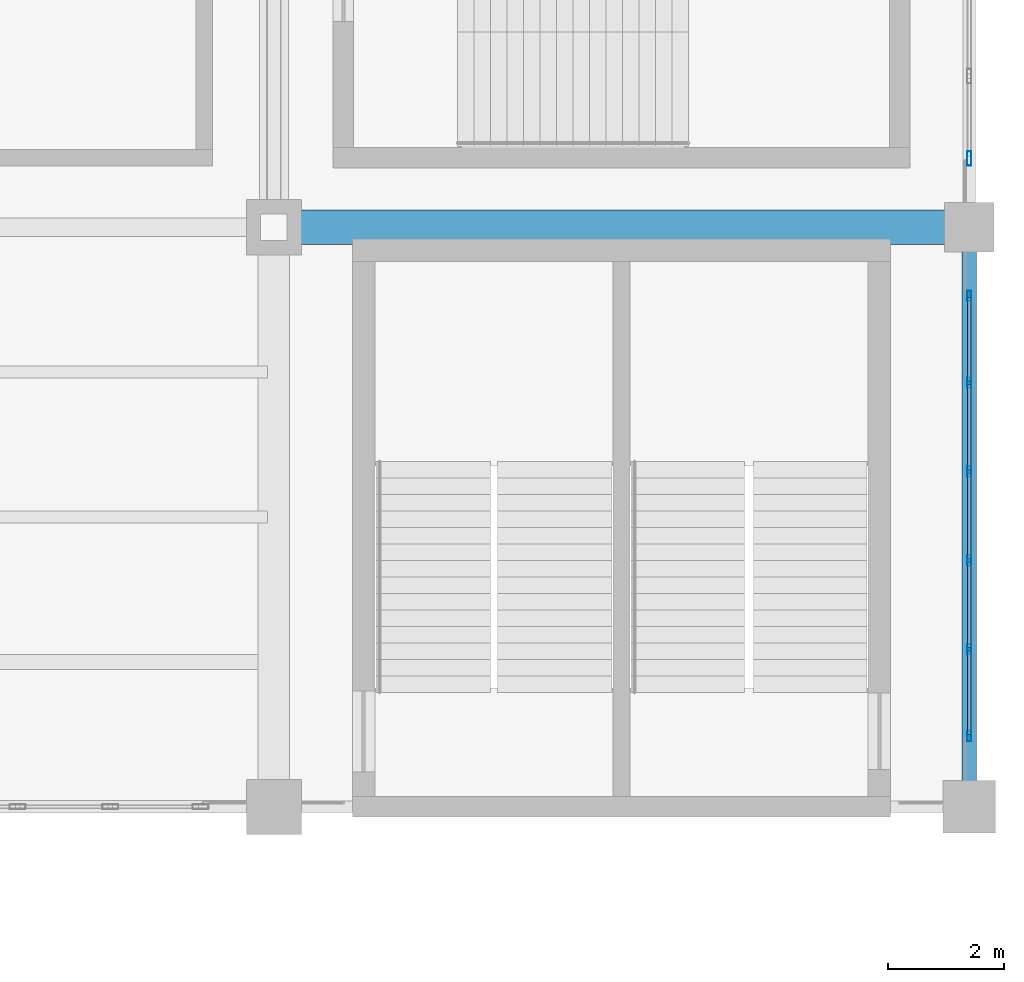
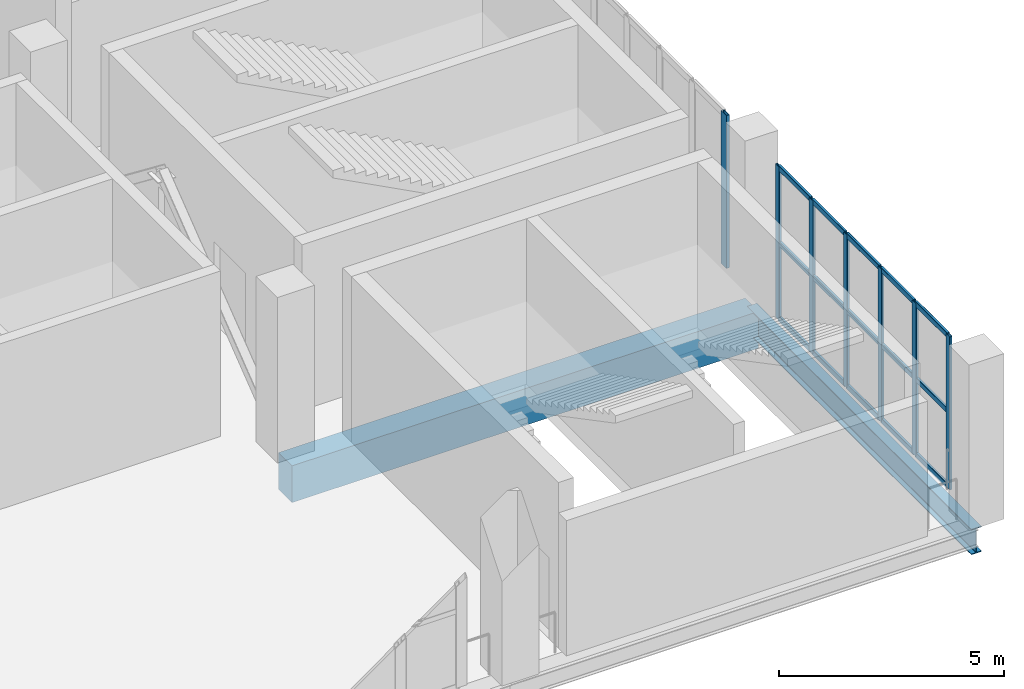
# One storey, part 34 of 90: 22 members, 2 beams, 2 elements without a shape of their own.
"""IFC4 building model written with IfcOpenShell, lengths in metres."""

from ifc_helpers import new_model, si_unit, direction, frame, origin, origin_2d, place, context, subcontext, project, spatial, rectangle, hollow_rectangle, i_section, extrude, material, layer, layer_set, material_profile, profile_set, type_object, element, aggregate, save


model = new_model("IFC4")

# Units and contexts
model_context = context("Model", 3, precision=1e-05, world=origin(), true_north=direction((0.0, 1.0)))
body_context = subcontext(model_context, "Body", "Model", "MODEL_VIEW")
ifc_project = project(units=[si_unit("LENGTHUNIT", "METRE"), si_unit("AREAUNIT", "SQUARE_METRE"), si_unit("VOLUMEUNIT", "CUBIC_METRE"), si_unit("PLANEANGLEUNIT", "RADIAN"), si_unit("MASSUNIT", "GRAM", prefix="KILO")], contexts=[model_context])

# Site, building, storey
site_placement = place(None, origin())
site = spatial("IfcSite", under=ifc_project, at=site_placement, CompositionType="ELEMENT")
building_placement = place(site_placement, origin())
building = spatial("IfcBuilding", under=site, at=building_placement, Name="Brinegate Civic Arena", CompositionType="ELEMENT")
storey_placement = place(building_placement, frame((0.0, 0.0, 14.699951171875)))
storey = spatial("IfcBuildingStorey", under=building, at=storey_placement, Name="L03", CompositionType="ELEMENT", Elevation=14.699951171875)

# Curtain wall, members
ifc_material_1 = material(Name="Marine grade aluminium", Category="aluminium")
ifc_layer = layer(ifc_material_1, 0.199951171875, Name="Marine grade aluminium")
ifc_layer_set = layer_set([ifc_layer], Name="Marine grade aluminium")
curtain_wall_type = type_object("IfcCurtainWallType", Name="CW-BOWL-GLAZED-01", PredefinedType="USERDEFINED", material=ifc_layer_set)
curtain_wall_1_placement = place(storey_placement, origin())
curtain_wall_1 = element("IfcCurtainWall", 1, at=curtain_wall_1_placement, inside=storey, type_object=curtain_wall_type, Name="Curtain Wall CWA-104", ObjectType="GLAZED CURTAIN WALL", PredefinedType="USERDEFINED")
ifc_material_profile_1 = material_profile(ifc_material_1, hollow_rectangle(XDim=0.06494140625, YDim=0.179931640625, WallThickness=0.0048828125, InnerFilletRadius=0.00390625, OuterFilletRadius=0.008056640625, at=origin_2d()), Name="MUL65X180")
ifc_profile_set_1 = profile_set([ifc_material_profile_1], Name="Marine grade aluminium")
member_type_1 = type_object("IfcMemberType", Name="CW-MULLION-65X180", PredefinedType="MULLION", material=ifc_profile_set_1)
member_1_placement = place(storey_placement, frame((168.0, 11.218505859375, 0.0), z_axis=(0.0, 0.0, 1.0), x_axis=(-1.0, 0.0, 0.0)))
member_1 = element("IfcMember", 2, at=member_1_placement, type_object=member_type_1, Name="CWA-104 mullion 1", PredefinedType="MULLION", context=body_context, shape_type="SweptSolid", body=[
    extrude(hollow_rectangle(XDim=0.06494140625, YDim=0.179931640625, WallThickness=0.0048828125, InnerFilletRadius=0.00390625, OuterFilletRadius=0.008056640625, at=origin_2d()), origin(), (0.0, 0.0, 1.0), 4.16015625),
])
member_2_placement = place(storey_placement, frame((168.0, 12.718505859375, 0.0), z_axis=(0.0, 0.0, 1.0), x_axis=(-1.0, 0.0, 0.0)))
member_2 = element("IfcMember", 3, at=member_2_placement, type_object=member_type_1, Name="CWA-104 mullion 2", PredefinedType="MULLION", context=body_context, shape_type="SweptSolid", body=[
    extrude(hollow_rectangle(XDim=0.06494140625, YDim=0.179931640625, WallThickness=0.0048828125, InnerFilletRadius=0.00390625, OuterFilletRadius=0.008056640625, at=origin_2d()), origin(), (0.0, 0.0, 1.0), 4.16015625),
])
member_3_placement = place(storey_placement, frame((168.0, 14.251220703125, 0.0), z_axis=(0.0, 0.0, 1.0), x_axis=(-1.0, 0.0, 0.0)))
member_3 = element("IfcMember", 4, at=member_3_placement, type_object=member_type_1, Name="CWA-104 mullion 3", PredefinedType="MULLION", context=body_context, shape_type="SweptSolid", body=[
    extrude(hollow_rectangle(XDim=0.06494140625, YDim=0.179931640625, WallThickness=0.0048828125, InnerFilletRadius=0.00390625, OuterFilletRadius=0.008056640625, at=origin_2d()), origin(), (0.0, 0.0, 1.0), 4.16015625),
])
member_4_placement = place(storey_placement, frame((168.0, 15.78369140625, 0.0), z_axis=(0.0, 0.0, 1.0), x_axis=(-1.0, 0.0, 0.0)))
member_4 = element("IfcMember", 5, at=member_4_placement, type_object=member_type_1, Name="CWA-104 mullion 4", PredefinedType="MULLION", context=body_context, shape_type="SweptSolid", body=[
    extrude(hollow_rectangle(XDim=0.06494140625, YDim=0.179931640625, WallThickness=0.0048828125, InnerFilletRadius=0.00390625, OuterFilletRadius=0.008056640625, at=origin_2d()), origin(), (0.0, 0.0, 1.0), 4.16015625),
])
member_5_placement = place(storey_placement, frame((168.0, 17.31640625, 0.0), z_axis=(0.0, 0.0, 1.0), x_axis=(-1.0, 0.0, 0.0)))
member_5 = element("IfcMember", 6, at=member_5_placement, type_object=member_type_1, Name="CWA-104 mullion 5", PredefinedType="MULLION", context=body_context, shape_type="SweptSolid", body=[
    extrude(hollow_rectangle(XDim=0.06494140625, YDim=0.179931640625, WallThickness=0.0048828125, InnerFilletRadius=0.00390625, OuterFilletRadius=0.008056640625, at=origin_2d()), origin(), (0.0, 0.0, 1.0), 4.16015625),
])
member_6_placement = place(storey_placement, frame((168.0, 18.81640625, 0.0), z_axis=(0.0, 0.0, 1.0), x_axis=(-1.0, 0.0, 0.0)))
member_6 = element("IfcMember", 7, at=member_6_placement, type_object=member_type_1, Name="CWA-104 mullion 6", PredefinedType="MULLION", context=body_context, shape_type="SweptSolid", body=[
    extrude(hollow_rectangle(XDim=0.06494140625, YDim=0.179931640625, WallThickness=0.0048828125, InnerFilletRadius=0.00390625, OuterFilletRadius=0.008056640625, at=origin_2d()), origin(), (0.0, 0.0, 1.0), 4.16015625),
])

# Curtain wall, member
curtain_wall_2_placement = place(storey_placement, origin())
curtain_wall_2 = element("IfcCurtainWall", 8, at=curtain_wall_2_placement, inside=storey, type_object=curtain_wall_type, Name="Curtain Wall CWA-106", ObjectType="GLAZED CURTAIN WALL", PredefinedType="USERDEFINED")
ifc_material_profile_2 = material_profile(ifc_material_1, hollow_rectangle(XDim=0.074951171875, YDim=0.25, WallThickness=0.006103515625, InnerFilletRadius=0.00390625, OuterFilletRadius=0.008056640625, at=origin_2d()), Name="MUL75X250")
ifc_profile_set_2 = profile_set([ifc_material_profile_2], Name="Marine grade aluminium")
member_type_2 = type_object("IfcMemberType", Name="CW-MULLION-75X250", PredefinedType="MULLION", material=ifc_profile_set_2)
member_7_placement = place(storey_placement, frame((168.0, 21.1884765625, 0.0), z_axis=(0.0, 0.0, 1.0), x_axis=(-1.0, 0.0, 0.0)))
member_7 = element("IfcMember", 9, at=member_7_placement, type_object=member_type_2, Name="CWA-106 mullion 1", PredefinedType="MULLION", context=body_context, shape_type="SweptSolid", body=[
    extrude(hollow_rectangle(XDim=0.074951171875, YDim=0.25, WallThickness=0.006103515625, InnerFilletRadius=0.00390625, OuterFilletRadius=0.008056640625, at=origin_2d()), origin(), (0.0, 0.0, 1.0), 4.16015625),
])
aggregate(curtain_wall_2, [member_7])

# Member
ifc_material_profile_3 = material_profile(ifc_material_1, hollow_rectangle(XDim=0.06494140625, YDim=0.139892578125, WallThickness=0.0048828125, InnerFilletRadius=0.00390625, OuterFilletRadius=0.008056640625, at=origin_2d()), Name="TRN65X140")
ifc_profile_set_3 = profile_set([ifc_material_profile_3], Name="Marine grade aluminium")
member_type_3 = type_object("IfcMemberType", Name="CW-TRANSOM-65X140", PredefinedType="USERDEFINED", material=ifc_profile_set_3)
member_8_placement = place(storey_placement, frame((168.0, 11.2509765625, 0.032470703125), z_axis=(0.0, 1.0, 0.0), x_axis=(-1.0, 0.0, 0.0)))
member_8 = element("IfcMember", 10, at=member_8_placement, type_object=member_type_3, Name="CWA-104 transom 1.1", ObjectType="TRANSOM", PredefinedType="USERDEFINED", context=body_context, shape_type="SweptSolid", body=[
    extrude(hollow_rectangle(XDim=0.06494140625, YDim=0.139892578125, WallThickness=0.0048828125, InnerFilletRadius=0.00390625, OuterFilletRadius=0.008056640625, at=origin_2d()), origin(), (0.0, 0.0, 1.0), 1.43505859375),
])

member_9_placement = place(storey_placement, frame((168.0, 11.2509765625, 2.080078125), z_axis=(0.0, 1.0, 0.0), x_axis=(-1.0, 0.0, 0.0)))
member_9 = element("IfcMember", 11, at=member_9_placement, type_object=member_type_3, Name="CWA-104 transom 1.2", ObjectType="TRANSOM", PredefinedType="USERDEFINED", context=body_context, shape_type="SweptSolid", body=[
    extrude(hollow_rectangle(XDim=0.06494140625, YDim=0.139892578125, WallThickness=0.0048828125, InnerFilletRadius=0.00390625, OuterFilletRadius=0.008056640625, at=origin_2d()), origin(), (0.0, 0.0, 1.0), 1.43505859375),
])

member_10_placement = place(storey_placement, frame((168.0, 11.2509765625, 4.12744140625), z_axis=(0.0, 1.0, 0.0), x_axis=(-1.0, 0.0, 0.0)))
member_10 = element("IfcMember", 12, at=member_10_placement, type_object=member_type_3, Name="CWA-104 transom 1.3", ObjectType="TRANSOM", PredefinedType="USERDEFINED", context=body_context, shape_type="SweptSolid", body=[
    extrude(hollow_rectangle(XDim=0.06494140625, YDim=0.139892578125, WallThickness=0.0048828125, InnerFilletRadius=0.00390625, OuterFilletRadius=0.008056640625, at=origin_2d()), origin(), (0.0, 0.0, 1.0), 1.43505859375),
])

member_11_placement = place(storey_placement, frame((168.0, 12.751220703125, 0.032470703125), z_axis=(0.0, 1.0, 0.0), x_axis=(-1.0, 0.0, 0.0)))
member_11 = element("IfcMember", 13, at=member_11_placement, type_object=member_type_3, Name="CWA-104 transom 2.1", ObjectType="TRANSOM", PredefinedType="USERDEFINED", context=body_context, shape_type="SweptSolid", body=[
    extrude(hollow_rectangle(XDim=0.06494140625, YDim=0.139892578125, WallThickness=0.0048828125, InnerFilletRadius=0.00390625, OuterFilletRadius=0.008056640625, at=origin_2d()), origin(), (0.0, 0.0, 1.0), 1.467529296875),
])

member_12_placement = place(storey_placement, frame((168.0, 12.751220703125, 2.080078125), z_axis=(0.0, 1.0, 0.0), x_axis=(-1.0, 0.0, 0.0)))
member_12 = element("IfcMember", 14, at=member_12_placement, type_object=member_type_3, Name="CWA-104 transom 2.2", ObjectType="TRANSOM", PredefinedType="USERDEFINED", context=body_context, shape_type="SweptSolid", body=[
    extrude(hollow_rectangle(XDim=0.06494140625, YDim=0.139892578125, WallThickness=0.0048828125, InnerFilletRadius=0.00390625, OuterFilletRadius=0.008056640625, at=origin_2d()), origin(), (0.0, 0.0, 1.0), 1.467529296875),
])

member_13_placement = place(storey_placement, frame((168.0, 12.751220703125, 4.12744140625), z_axis=(0.0, 1.0, 0.0), x_axis=(-1.0, 0.0, 0.0)))
member_13 = element("IfcMember", 15, at=member_13_placement, type_object=member_type_3, Name="CWA-104 transom 2.3", ObjectType="TRANSOM", PredefinedType="USERDEFINED", context=body_context, shape_type="SweptSolid", body=[
    extrude(hollow_rectangle(XDim=0.06494140625, YDim=0.139892578125, WallThickness=0.0048828125, InnerFilletRadius=0.00390625, OuterFilletRadius=0.008056640625, at=origin_2d()), origin(), (0.0, 0.0, 1.0), 1.467529296875),
])

member_14_placement = place(storey_placement, frame((168.0, 14.28369140625, 0.032470703125), z_axis=(0.0, 1.0, 0.0), x_axis=(-1.0, 0.0, 0.0)))
member_14 = element("IfcMember", 16, at=member_14_placement, type_object=member_type_3, Name="CWA-104 transom 3.1", ObjectType="TRANSOM", PredefinedType="USERDEFINED", context=body_context, shape_type="SweptSolid", body=[
    extrude(hollow_rectangle(XDim=0.06494140625, YDim=0.139892578125, WallThickness=0.0048828125, InnerFilletRadius=0.00390625, OuterFilletRadius=0.008056640625, at=origin_2d()), origin(), (0.0, 0.0, 1.0), 1.467529296875),
])

member_15_placement = place(storey_placement, frame((168.0, 14.28369140625, 2.080078125), z_axis=(0.0, 1.0, 0.0), x_axis=(-1.0, 0.0, 0.0)))
member_15 = element("IfcMember", 17, at=member_15_placement, type_object=member_type_3, Name="CWA-104 transom 3.2", ObjectType="TRANSOM", PredefinedType="USERDEFINED", context=body_context, shape_type="SweptSolid", body=[
    extrude(hollow_rectangle(XDim=0.06494140625, YDim=0.139892578125, WallThickness=0.0048828125, InnerFilletRadius=0.00390625, OuterFilletRadius=0.008056640625, at=origin_2d()), origin(), (0.0, 0.0, 1.0), 1.467529296875),
])

member_16_placement = place(storey_placement, frame((168.0, 14.28369140625, 4.12744140625), z_axis=(0.0, 1.0, 0.0), x_axis=(-1.0, 0.0, 0.0)))
member_16 = element("IfcMember", 18, at=member_16_placement, type_object=member_type_3, Name="CWA-104 transom 3.3", ObjectType="TRANSOM", PredefinedType="USERDEFINED", context=body_context, shape_type="SweptSolid", body=[
    extrude(hollow_rectangle(XDim=0.06494140625, YDim=0.139892578125, WallThickness=0.0048828125, InnerFilletRadius=0.00390625, OuterFilletRadius=0.008056640625, at=origin_2d()), origin(), (0.0, 0.0, 1.0), 1.467529296875),
])

member_17_placement = place(storey_placement, frame((168.0, 15.81640625, 0.032470703125), z_axis=(0.0, 1.0, 0.0), x_axis=(-1.0, 0.0, 0.0)))
member_17 = element("IfcMember", 19, at=member_17_placement, type_object=member_type_3, Name="CWA-104 transom 4.1", ObjectType="TRANSOM", PredefinedType="USERDEFINED", context=body_context, shape_type="SweptSolid", body=[
    extrude(hollow_rectangle(XDim=0.06494140625, YDim=0.139892578125, WallThickness=0.0048828125, InnerFilletRadius=0.00390625, OuterFilletRadius=0.008056640625, at=origin_2d()), origin(), (0.0, 0.0, 1.0), 1.467529296875),
])

member_18_placement = place(storey_placement, frame((168.0, 15.81640625, 2.080078125), z_axis=(0.0, 1.0, 0.0), x_axis=(-1.0, 0.0, 0.0)))
member_18 = element("IfcMember", 20, at=member_18_placement, type_object=member_type_3, Name="CWA-104 transom 4.2", ObjectType="TRANSOM", PredefinedType="USERDEFINED", context=body_context, shape_type="SweptSolid", body=[
    extrude(hollow_rectangle(XDim=0.06494140625, YDim=0.139892578125, WallThickness=0.0048828125, InnerFilletRadius=0.00390625, OuterFilletRadius=0.008056640625, at=origin_2d()), origin(), (0.0, 0.0, 1.0), 1.467529296875),
])

member_19_placement = place(storey_placement, frame((168.0, 15.81640625, 4.12744140625), z_axis=(0.0, 1.0, 0.0), x_axis=(-1.0, 0.0, 0.0)))
member_19 = element("IfcMember", 21, at=member_19_placement, type_object=member_type_3, Name="CWA-104 transom 4.3", ObjectType="TRANSOM", PredefinedType="USERDEFINED", context=body_context, shape_type="SweptSolid", body=[
    extrude(hollow_rectangle(XDim=0.06494140625, YDim=0.139892578125, WallThickness=0.0048828125, InnerFilletRadius=0.00390625, OuterFilletRadius=0.008056640625, at=origin_2d()), origin(), (0.0, 0.0, 1.0), 1.467529296875),
])

member_20_placement = place(storey_placement, frame((168.0, 17.348876953125, 0.032470703125), z_axis=(0.0, 1.0, 0.0), x_axis=(-1.0, 0.0, 0.0)))
member_20 = element("IfcMember", 22, at=member_20_placement, type_object=member_type_3, Name="CWA-104 transom 5.1", ObjectType="TRANSOM", PredefinedType="USERDEFINED", context=body_context, shape_type="SweptSolid", body=[
    extrude(hollow_rectangle(XDim=0.06494140625, YDim=0.139892578125, WallThickness=0.0048828125, InnerFilletRadius=0.00390625, OuterFilletRadius=0.008056640625, at=origin_2d()), origin(), (0.0, 0.0, 1.0), 1.43505859375),
])

member_21_placement = place(storey_placement, frame((168.0, 17.348876953125, 2.080078125), z_axis=(0.0, 1.0, 0.0), x_axis=(-1.0, 0.0, 0.0)))
member_21 = element("IfcMember", 23, at=member_21_placement, type_object=member_type_3, Name="CWA-104 transom 5.2", ObjectType="TRANSOM", PredefinedType="USERDEFINED", context=body_context, shape_type="SweptSolid", body=[
    extrude(hollow_rectangle(XDim=0.06494140625, YDim=0.139892578125, WallThickness=0.0048828125, InnerFilletRadius=0.00390625, OuterFilletRadius=0.008056640625, at=origin_2d()), origin(), (0.0, 0.0, 1.0), 1.43505859375),
])

member_22_placement = place(storey_placement, frame((168.0, 17.348876953125, 4.12744140625), z_axis=(0.0, 1.0, 0.0), x_axis=(-1.0, 0.0, 0.0)))
member_22 = element("IfcMember", 24, at=member_22_placement, type_object=member_type_3, Name="CWA-104 transom 5.3", ObjectType="TRANSOM", PredefinedType="USERDEFINED", context=body_context, shape_type="SweptSolid", body=[
    extrude(hollow_rectangle(XDim=0.06494140625, YDim=0.139892578125, WallThickness=0.0048828125, InnerFilletRadius=0.00390625, OuterFilletRadius=0.008056640625, at=origin_2d()), origin(), (0.0, 0.0, 1.0), 1.43505859375),
])

aggregate(curtain_wall_1, [member_1, member_2, member_3, member_4, member_5, member_6, member_8, member_9, member_10, member_11, member_12, member_13, member_14, member_15, member_16, member_17, member_18, member_19, member_20, member_21, member_22])

# Beams
ifc_material_2 = material(Name="Concrete C50/60", Category="concrete")
ifc_material_profile_4 = material_profile(ifc_material_2, rectangle(XDim=0.60009765625, YDim=1.0, at=origin_2d()), Name="RCB600X1000")
ifc_profile_set_4 = profile_set([ifc_material_profile_4], Name="Concrete C50/60")
beam_type_1 = type_object("IfcBeamType", Name="RCG-600X1000", PredefinedType="BEAM", material=ifc_profile_set_4)
beam_1_placement = place(storey_placement, frame((156.0, 20.0, -0.849853515625), z_axis=(1.0, 0.0, 0.0), x_axis=(0.0, 1.0, 0.0)))
element("IfcBeam", 25, at=beam_1_placement, inside=storey, type_object=beam_type_1, Name="Floor Girder BM-L03-GX-13-02", PredefinedType="BEAM", context=body_context, shape_type="SweptSolid", body=[
    extrude(rectangle(XDim=0.60009765625, YDim=1.0, at=origin_2d()), origin(), (0.0, 0.0, 1.0), 12.0),
])
ifc_material_3 = material(Name="Steel S355", Category="steel")
ifc_material_profile_5 = material_profile(ifc_material_3, i_section(OverallWidth=0.256103515625, OverallDepth=0.693115234375, WebThickness=0.014892578125, FlangeThickness=0.02392578125, FilletRadius=0.01806640625, at=origin_2d()), Name="W690X170")
ifc_profile_set_5 = profile_set([ifc_material_profile_5], Name="Steel S355")
beam_type_2 = type_object("IfcBeamType", Name="SPANDREL-W690X170", PredefinedType="SPANDREL", material=ifc_profile_set_5)
beam_2_placement = place(storey_placement, frame((168.0, 10.0, -0.696044921875), z_axis=(0.0, 1.0, 0.0), x_axis=(-1.0, 0.0, 0.0)))
element("IfcBeam", 26, at=beam_2_placement, inside=storey, type_object=beam_type_2, Name="Floor Girder BM-L03-GY-14-01", PredefinedType="SPANDREL", context=body_context, shape_type="SweptSolid", body=[
    extrude(i_section(OverallWidth=0.256103515625, OverallDepth=0.693115234375, WebThickness=0.014892578125, FlangeThickness=0.02392578125, FilletRadius=0.01806640625, at=origin_2d()), origin(), (0.0, 0.0, 1.0), 10.0),
])

save(model, "model.ifc")
